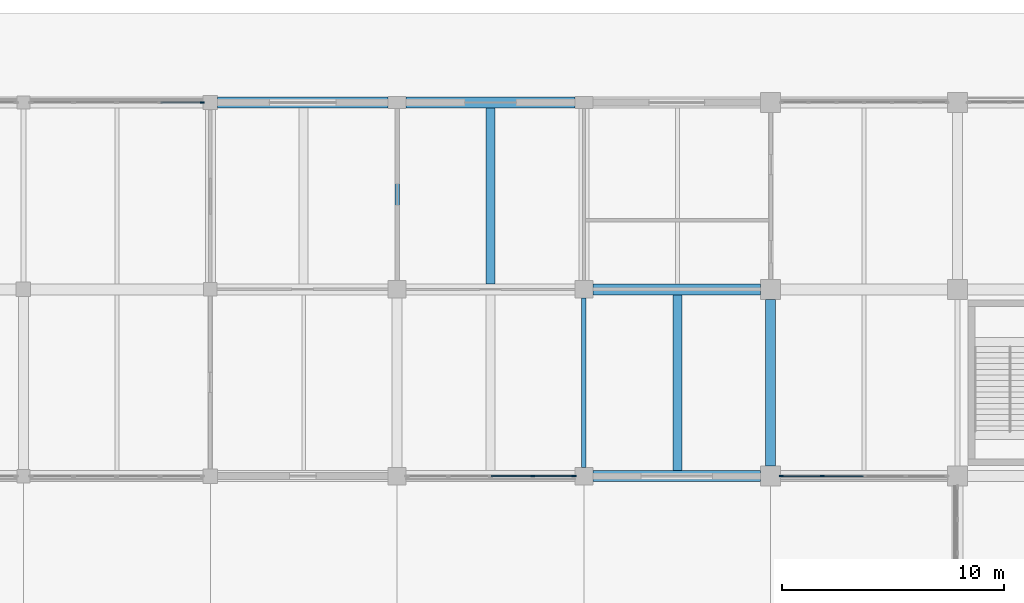
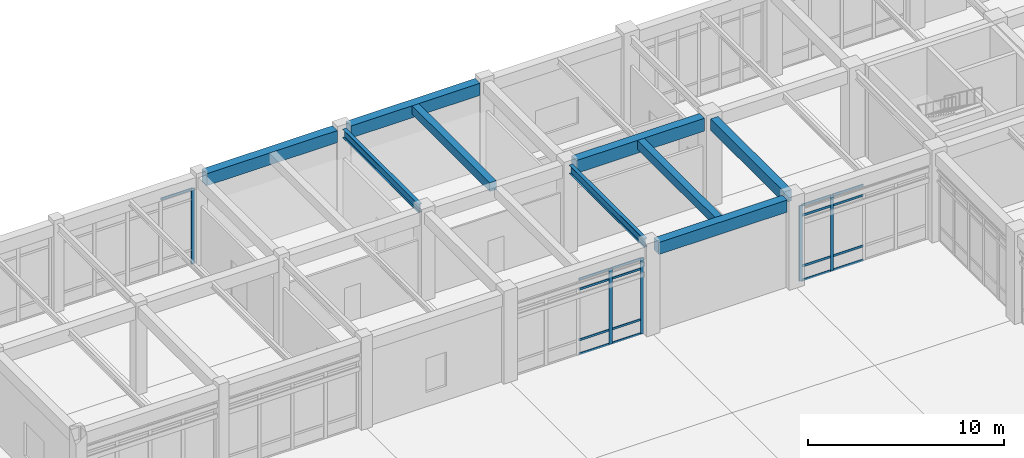
# One storey, part 21 of 91: 22 members, 9 beams, 3 elements without a shape of their own.
"""IFC4 building model written with IfcOpenShell, lengths in metres."""

from ifc_helpers import new_model, si_unit, direction, frame, origin, origin_2d, place, context, subcontext, project, spatial, rectangle, i_section, extrude, material, layer, layer_set, material_profile, profile_set, type_object, element, aggregate, save


model = new_model("IFC4")

# Units and contexts
model_context = context("Model", 3, precision=1e-05, world=origin(), true_north=direction((0.0, 1.0)))
body_context = subcontext(model_context, "Body", "Model", "MODEL_VIEW")
ifc_project = project(units=[si_unit("LENGTHUNIT", "METRE"), si_unit("AREAUNIT", "SQUARE_METRE"), si_unit("VOLUMEUNIT", "CUBIC_METRE"), si_unit("PLANEANGLEUNIT", "RADIAN"), si_unit("MASSUNIT", "GRAM", prefix="KILO")], contexts=[model_context])

# Site, building, storey
site_placement = place(None, origin())
site = spatial("IfcSite", under=ifc_project, at=site_placement, CompositionType="ELEMENT")
building_placement = place(site_placement, origin())
building = spatial("IfcBuilding", under=site, at=building_placement, Name="Porcellanite Civic Hall", CompositionType="ELEMENT")
storey_placement = place(building_placement, origin())
storey = spatial("IfcBuildingStorey", under=building, at=storey_placement, Name="L00", CompositionType="ELEMENT", Elevation=0.0)

# Beams
ifc_material_1 = material(Name="Concrete N50 (50 MPa)", Category="concrete")
ifc_material_profile_1 = material_profile(ifc_material_1, rectangle(XDim=0.39990234375, YDim=0.550048828125, at=origin_2d()), Name="RC-400x550")
ifc_profile_set_1 = profile_set([ifc_material_profile_1], Name="Concrete N50 (50 MPa)")
beam_type_1 = type_object("IfcBeamType", Name="BM-RC550", PredefinedType="JOIST", material=ifc_profile_set_1)
beam_1_placement = place(storey_placement, frame((29.39990234375, 109.449462890625, 5.22509765625), z_axis=(0.0, 1.0, 0.0), x_axis=(-1.0, 0.0, 0.0)))
element("IfcBeam", 1, at=beam_1_placement, inside=storey, type_object=beam_type_1, Name="Secondary joist L00 4-14", PredefinedType="JOIST", context=body_context, shape_type="SweptSolid", body=[
    extrude(rectangle(XDim=0.39990234375, YDim=0.550048828125, at=origin_2d()), origin(), (0.0, 0.0, 1.0), 7.901123046875),
])
beam_2_placement = place(storey_placement, frame((37.800048828125, 101.049560546875, 5.22509765625), z_axis=(0.0, 1.0, 0.0), x_axis=(-1.0, 0.0, 0.0)))
element("IfcBeam", 2, at=beam_2_placement, inside=storey, type_object=beam_type_1, Name="Secondary joist L00 5-13", PredefinedType="JOIST", context=body_context, shape_type="SweptSolid", body=[
    extrude(rectangle(XDim=0.39990234375, YDim=0.550048828125, at=origin_2d()), origin(), (0.0, 0.0, 1.0), 7.90087890625),
])
ifc_material_2 = material(Name="Concrete N50 (50 MPa)", Category="concrete")
ifc_material_profile_2 = material_profile(ifc_material_2, rectangle(XDim=0.449951171875, YDim=0.699951171875, at=origin_2d()), Name="RC-450x700")
ifc_profile_set_2 = profile_set([ifc_material_profile_2], Name="Concrete N50 (50 MPa)")
beam_type_2 = type_object("IfcBeamType", Name="BM-RC700", PredefinedType="BEAM", material=ifc_profile_set_2)
beam_3_placement = place(storey_placement, frame((42.0, 101.24951171875, 5.14990234375), z_axis=(0.0, 1.0, 0.0), x_axis=(-1.0, 0.0, 0.0)))
element("IfcBeam", 3, at=beam_3_placement, inside=storey, type_object=beam_type_2, Name="Beam Y L00 6-13", PredefinedType="BEAM", context=body_context, shape_type="SweptSolid", body=[
    extrude(rectangle(XDim=0.449951171875, YDim=0.699951171875, at=origin_2d()), origin(), (0.0, 0.0, 1.0), 7.5009765625),
])
ifc_material_3 = material(Name="Concrete N50 (50 MPa)", Category="concrete")
ifc_material_profile_3 = material_profile(ifc_material_3, rectangle(XDim=0.5, YDim=0.75, at=origin_2d()), Name="RC-500x750")
ifc_profile_set_3 = profile_set([ifc_material_profile_3], Name="Concrete N50 (50 MPa)")
beam_type_3 = type_object("IfcBeamType", Name="BM-RC750", PredefinedType="SPANDREL", material=ifc_profile_set_3)
beam_4_placement = place(storey_placement, frame((17.12451171875, 117.60009765625, 5.125), z_axis=(1.0, 0.0, 0.0), x_axis=(0.0, 1.0, 0.0)))
element("IfcBeam", 4, at=beam_4_placement, inside=storey, type_object=beam_type_3, Name="Beam X L00 3-15", PredefinedType="SPANDREL", context=body_context, shape_type="SweptSolid", body=[
    extrude(rectangle(XDim=0.5, YDim=0.75, at=origin_2d()), origin(), (0.0, 0.0, 1.0), 7.676025390625),
])
beam_5_placement = place(storey_placement, frame((25.599609375, 117.60009765625, 5.125), z_axis=(1.0, 0.0, 0.0), x_axis=(0.0, 1.0, 0.0)))
element("IfcBeam", 5, at=beam_5_placement, inside=storey, type_object=beam_type_3, Name="Beam X L00 4-15", PredefinedType="SPANDREL", context=body_context, shape_type="SweptSolid", body=[
    extrude(rectangle(XDim=0.5, YDim=0.75, at=origin_2d()), origin(), (0.0, 0.0, 1.0), 7.600830078125),
])
beam_6_placement = place(storey_placement, frame((33.99951171875, 100.800048828125, 5.125), z_axis=(1.0, 0.0, 0.0), x_axis=(0.0, 1.0, 0.0)))
element("IfcBeam", 6, at=beam_6_placement, inside=storey, type_object=beam_type_3, Name="Beam X L00 5-13", PredefinedType="SPANDREL", context=body_context, shape_type="SweptSolid", body=[
    extrude(rectangle(XDim=0.5, YDim=0.75, at=origin_2d()), origin(), (0.0, 0.0, 1.0), 7.551025390625),
])
ifc_material_4 = material(Name="Concrete N50 (50 MPa)", Category="concrete")
ifc_material_profile_4 = material_profile(ifc_material_4, rectangle(XDim=0.5, YDim=0.800048828125, at=origin_2d()), Name="RC-500x800")
ifc_profile_set_4 = profile_set([ifc_material_profile_4], Name="Concrete N50 (50 MPa)")
beam_type_4 = type_object("IfcBeamType", Name="BM-RC800", PredefinedType="BEAM", material=ifc_profile_set_4)
beam_7_placement = place(storey_placement, frame((33.99951171875, 109.199951171875, 5.10009765625), z_axis=(1.0, 0.0, 0.0), x_axis=(0.0, 1.0, 0.0)))
element("IfcBeam", 7, at=beam_7_placement, inside=storey, type_object=beam_type_4, Name="Beam X L00 5-14", PredefinedType="BEAM", context=body_context, shape_type="SweptSolid", body=[
    extrude(rectangle(XDim=0.5, YDim=0.800048828125, at=origin_2d()), origin(), (0.0, 0.0, 1.0), 7.551025390625),
])

# Curtain wall, member
ifc_material_5 = material(Name="Anodised aluminium and solar laminated glass", Category="aluminium")
ifc_layer_1 = layer(ifc_material_5, 0.179931640625)
ifc_layer_set_1 = layer_set([ifc_layer_1], Name="Anodised aluminium and solar laminated glass")
curtain_wall_type_1 = type_object("IfcCurtainWallType", Name="CW-SYS05", PredefinedType="NOTDEFINED", material=ifc_layer_set_1)
curtain_wall_1_placement = place(storey_placement, origin())
curtain_wall_1 = element("IfcCurtainWall", 8, at=curtain_wall_1_placement, inside=storey, type_object=curtain_wall_type_1, Name="Curtain wall CW-009", PredefinedType="NOTDEFINED")
ifc_material_6 = material(Name="Anodised aluminium 6063-T6", Category="aluminium")
ifc_material_profile_5 = material_profile(ifc_material_6, rectangle(XDim=0.070068359375, YDim=0.199951171875, at=origin_2d()), Name="AL-70x200")
ifc_profile_set_5 = profile_set([ifc_material_profile_5], Name="Anodised aluminium 6063-T6")
member_type_1 = type_object("IfcMemberType", Name="CWM-05", PredefinedType="MULLION", material=ifc_profile_set_5)
member_1_placement = place(storey_placement, frame((16.43896484375, 117.60009765625, 0.0), z_axis=(0.0, 0.0, 1.0), x_axis=(0.0, 1.0, 0.0)))
member_1 = element("IfcMember", 9, at=member_1_placement, type_object=member_type_1, Name="CW-009 mullion 5", PredefinedType="MULLION", context=body_context, shape_type="SweptSolid", body=[
    extrude(rectangle(XDim=0.070068359375, YDim=0.199951171875, at=origin_2d()), origin(), (0.0, 0.0, 1.0), 4.699951171875),
])

# Curtain wall, members
curtain_wall_2_placement = place(storey_placement, origin())
curtain_wall_2 = element("IfcCurtainWall", 10, at=curtain_wall_2_placement, inside=storey, type_object=curtain_wall_type_1, Name="Curtain wall CW-013", PredefinedType="NOTDEFINED")
member_2_placement = place(storey_placement, frame((33.1640625, 100.800048828125, 0.0), z_axis=(0.0, 0.0, 1.0), x_axis=(0.0, -1.0, 0.0)))
member_2 = element("IfcMember", 11, at=member_2_placement, type_object=member_type_1, Name="CW-013 mullion 1", PredefinedType="MULLION", context=body_context, shape_type="SweptSolid", body=[
    extrude(rectangle(XDim=0.070068359375, YDim=0.199951171875, at=origin_2d()), origin(), (0.0, 0.0, 1.0), 4.699951171875),
])
member_3_placement = place(storey_placement, frame((31.299560546875, 100.800048828125, 0.0), z_axis=(0.0, 0.0, 1.0), x_axis=(0.0, -1.0, 0.0)))
member_3 = element("IfcMember", 12, at=member_3_placement, type_object=member_type_1, Name="CW-013 mullion 2", PredefinedType="MULLION", context=body_context, shape_type="SweptSolid", body=[
    extrude(rectangle(XDim=0.070068359375, YDim=0.199951171875, at=origin_2d()), origin(), (0.0, 0.0, 1.0), 4.699951171875),
])

ifc_material_7 = material(Name="Anodised aluminium and solar laminated glass", Category="aluminium")
ifc_layer_2 = layer(ifc_material_7, 0.179931640625)
ifc_layer_set_2 = layer_set([ifc_layer_2], Name="Anodised aluminium and solar laminated glass")
curtain_wall_type_2 = type_object("IfcCurtainWallType", Name="CW-SYS06", PredefinedType="NOTDEFINED", material=ifc_layer_set_2)
curtain_wall_3_placement = place(storey_placement, origin())
curtain_wall_3 = element("IfcCurtainWall", 13, at=curtain_wall_3_placement, inside=storey, type_object=curtain_wall_type_2, Name="Curtain wall CW-014", PredefinedType="NOTDEFINED")
ifc_material_8 = material(Name="Anodised aluminium 6063-T6", Category="aluminium")
ifc_material_profile_6 = material_profile(ifc_material_8, rectangle(XDim=0.06494140625, YDim=0.179931640625, at=origin_2d()), Name="AL-65x180")
ifc_profile_set_6 = profile_set([ifc_material_profile_6], Name="Anodised aluminium 6063-T6")
member_type_2 = type_object("IfcMemberType", Name="CWM-06", PredefinedType="MULLION", material=ifc_profile_set_6)
member_4_placement = place(storey_placement, frame((44.325439453125, 100.800048828125, 0.0), z_axis=(0.0, 0.0, 1.0), x_axis=(0.0, -1.0, 0.0)))
member_4 = element("IfcMember", 14, at=member_4_placement, type_object=member_type_2, Name="CW-014 mullion 4", PredefinedType="MULLION", context=body_context, shape_type="SweptSolid", body=[
    extrude(rectangle(XDim=0.06494140625, YDim=0.179931640625, at=origin_2d()), origin(), (0.0, 0.0, 1.0), 4.699951171875),
])
member_5_placement = place(storey_placement, frame((42.4833984375, 100.800048828125, 0.0), z_axis=(0.0, 0.0, 1.0), x_axis=(0.0, -1.0, 0.0)))
member_5 = element("IfcMember", 15, at=member_5_placement, type_object=member_type_2, Name="CW-014 mullion 5", PredefinedType="MULLION", context=body_context, shape_type="SweptSolid", body=[
    extrude(rectangle(XDim=0.06494140625, YDim=0.179931640625, at=origin_2d()), origin(), (0.0, 0.0, 1.0), 4.699951171875),
])

# Member
ifc_material_9 = material(Name="Anodised aluminium 6063-T6", Category="aluminium")
ifc_material_profile_7 = material_profile(ifc_material_9, rectangle(XDim=0.06005859375, YDim=0.1298828125, at=origin_2d()), Name="AL-60x130")
ifc_profile_set_7 = profile_set([ifc_material_profile_7], Name="Anodised aluminium 6063-T6")
member_type_3 = type_object("IfcMemberType", Name="CWT-03", PredefinedType="USERDEFINED", material=ifc_profile_set_7)
member_6_placement = place(storey_placement, frame((14.565673828125, 117.60009765625, 4.669921875), z_axis=(1.0, 0.0, 0.0), x_axis=(0.0, 1.0, 0.0)))
member_6 = element("IfcMember", 16, at=member_6_placement, type_object=member_type_3, Name="CW-009 transom 4.4", ObjectType="TRANSOM", PredefinedType="USERDEFINED", context=body_context, shape_type="SweptSolid", body=[
    extrude(rectangle(XDim=0.06005859375, YDim=0.1298828125, at=origin_2d()), origin(), (0.0, 0.0, 1.0), 1.83837890625),
])

aggregate(curtain_wall_1, [member_1, member_6])

member_7_placement = place(storey_placement, frame((33.12890625, 100.800048828125, 0.030029296875), z_axis=(-1.0, 0.0, 0.0), x_axis=(0.0, -1.0, 0.0)))
member_7 = element("IfcMember", 17, at=member_7_placement, type_object=member_type_3, Name="CW-013 transom 1.1", ObjectType="TRANSOM", PredefinedType="USERDEFINED", context=body_context, shape_type="SweptSolid", body=[
    extrude(rectangle(XDim=0.06005859375, YDim=0.1298828125, at=origin_2d()), origin(), (0.0, 0.0, 1.0), 1.79443359375),
])

member_8_placement = place(storey_placement, frame((33.12890625, 100.800048828125, 0.89990234375), z_axis=(-1.0, 0.0, 0.0), x_axis=(0.0, -1.0, 0.0)))
member_8 = element("IfcMember", 18, at=member_8_placement, type_object=member_type_3, Name="CW-013 transom 1.2", ObjectType="TRANSOM", PredefinedType="USERDEFINED", context=body_context, shape_type="SweptSolid", body=[
    extrude(rectangle(XDim=0.06005859375, YDim=0.1298828125, at=origin_2d()), origin(), (0.0, 0.0, 1.0), 1.79443359375),
])

member_9_placement = place(storey_placement, frame((33.12890625, 100.800048828125, 4.050048828125), z_axis=(-1.0, 0.0, 0.0), x_axis=(0.0, -1.0, 0.0)))
member_9 = element("IfcMember", 19, at=member_9_placement, type_object=member_type_3, Name="CW-013 transom 1.3", ObjectType="TRANSOM", PredefinedType="USERDEFINED", context=body_context, shape_type="SweptSolid", body=[
    extrude(rectangle(XDim=0.06005859375, YDim=0.1298828125, at=origin_2d()), origin(), (0.0, 0.0, 1.0), 1.79443359375),
])

member_10_placement = place(storey_placement, frame((33.12890625, 100.800048828125, 4.669921875), z_axis=(-1.0, 0.0, 0.0), x_axis=(0.0, -1.0, 0.0)))
member_10 = element("IfcMember", 20, at=member_10_placement, type_object=member_type_3, Name="CW-013 transom 1.4", ObjectType="TRANSOM", PredefinedType="USERDEFINED", context=body_context, shape_type="SweptSolid", body=[
    extrude(rectangle(XDim=0.06005859375, YDim=0.1298828125, at=origin_2d()), origin(), (0.0, 0.0, 1.0), 1.79443359375),
])

member_11_placement = place(storey_placement, frame((31.264404296875, 100.800048828125, 0.030029296875), z_axis=(-1.0, 0.0, 0.0), x_axis=(0.0, -1.0, 0.0)))
member_11 = element("IfcMember", 21, at=member_11_placement, type_object=member_type_3, Name="CW-013 transom 2.1", ObjectType="TRANSOM", PredefinedType="USERDEFINED", context=body_context, shape_type="SweptSolid", body=[
    extrude(rectangle(XDim=0.06005859375, YDim=0.1298828125, at=origin_2d()), origin(), (0.0, 0.0, 1.0), 1.829345703125),
])

member_12_placement = place(storey_placement, frame((31.264404296875, 100.800048828125, 0.89990234375), z_axis=(-1.0, 0.0, 0.0), x_axis=(0.0, -1.0, 0.0)))
member_12 = element("IfcMember", 22, at=member_12_placement, type_object=member_type_3, Name="CW-013 transom 2.2", ObjectType="TRANSOM", PredefinedType="USERDEFINED", context=body_context, shape_type="SweptSolid", body=[
    extrude(rectangle(XDim=0.06005859375, YDim=0.1298828125, at=origin_2d()), origin(), (0.0, 0.0, 1.0), 1.829345703125),
])

member_13_placement = place(storey_placement, frame((31.264404296875, 100.800048828125, 4.050048828125), z_axis=(-1.0, 0.0, 0.0), x_axis=(0.0, -1.0, 0.0)))
member_13 = element("IfcMember", 23, at=member_13_placement, type_object=member_type_3, Name="CW-013 transom 2.3", ObjectType="TRANSOM", PredefinedType="USERDEFINED", context=body_context, shape_type="SweptSolid", body=[
    extrude(rectangle(XDim=0.06005859375, YDim=0.1298828125, at=origin_2d()), origin(), (0.0, 0.0, 1.0), 1.829345703125),
])

member_14_placement = place(storey_placement, frame((31.264404296875, 100.800048828125, 4.669921875), z_axis=(-1.0, 0.0, 0.0), x_axis=(0.0, -1.0, 0.0)))
member_14 = element("IfcMember", 24, at=member_14_placement, type_object=member_type_3, Name="CW-013 transom 2.4", ObjectType="TRANSOM", PredefinedType="USERDEFINED", context=body_context, shape_type="SweptSolid", body=[
    extrude(rectangle(XDim=0.06005859375, YDim=0.1298828125, at=origin_2d()), origin(), (0.0, 0.0, 1.0), 1.829345703125),
])

aggregate(curtain_wall_2, [member_2, member_3, member_7, member_8, member_9, member_10, member_11, member_12, member_13, member_14])

ifc_material_10 = material(Name="Anodised aluminium 6063-T6", Category="aluminium")
ifc_material_profile_8 = material_profile(ifc_material_10, rectangle(XDim=0.050048828125, YDim=0.139892578125, at=origin_2d()), Name="AL-50x140")
ifc_profile_set_8 = profile_set([ifc_material_profile_8], Name="Anodised aluminium 6063-T6")
member_type_4 = type_object("IfcMemberType", Name="CWT-06", PredefinedType="USERDEFINED", material=ifc_profile_set_8)
member_15_placement = place(storey_placement, frame((46.16748046875, 100.800048828125, 0.02490234375), z_axis=(-1.0, 0.0, 0.0), x_axis=(0.0, -1.0, 0.0)))
member_15 = element("IfcMember", 25, at=member_15_placement, type_object=member_type_4, Name="CW-014 transom 3.1", ObjectType="TRANSOM", PredefinedType="USERDEFINED", context=body_context, shape_type="SweptSolid", body=[
    extrude(rectangle(XDim=0.050048828125, YDim=0.139892578125, at=origin_2d()), origin(), (0.0, 0.0, 1.0), 1.8095703125),
])

member_16_placement = place(storey_placement, frame((46.16748046875, 100.800048828125, 0.89990234375), z_axis=(-1.0, 0.0, 0.0), x_axis=(0.0, -1.0, 0.0)))
member_16 = element("IfcMember", 26, at=member_16_placement, type_object=member_type_4, Name="CW-014 transom 3.2", ObjectType="TRANSOM", PredefinedType="USERDEFINED", context=body_context, shape_type="SweptSolid", body=[
    extrude(rectangle(XDim=0.050048828125, YDim=0.139892578125, at=origin_2d()), origin(), (0.0, 0.0, 1.0), 1.8095703125),
])

member_17_placement = place(storey_placement, frame((46.16748046875, 100.800048828125, 4.050048828125), z_axis=(-1.0, 0.0, 0.0), x_axis=(0.0, -1.0, 0.0)))
member_17 = element("IfcMember", 27, at=member_17_placement, type_object=member_type_4, Name="CW-014 transom 3.3", ObjectType="TRANSOM", PredefinedType="USERDEFINED", context=body_context, shape_type="SweptSolid", body=[
    extrude(rectangle(XDim=0.050048828125, YDim=0.139892578125, at=origin_2d()), origin(), (0.0, 0.0, 1.0), 1.8095703125),
])

member_18_placement = place(storey_placement, frame((46.16748046875, 100.800048828125, 4.675048828125), z_axis=(-1.0, 0.0, 0.0), x_axis=(0.0, -1.0, 0.0)))
member_18 = element("IfcMember", 28, at=member_18_placement, type_object=member_type_4, Name="CW-014 transom 3.4", ObjectType="TRANSOM", PredefinedType="USERDEFINED", context=body_context, shape_type="SweptSolid", body=[
    extrude(rectangle(XDim=0.050048828125, YDim=0.139892578125, at=origin_2d()), origin(), (0.0, 0.0, 1.0), 1.8095703125),
])

member_19_placement = place(storey_placement, frame((44.29296875, 100.800048828125, 0.02490234375), z_axis=(-1.0, 0.0, 0.0), x_axis=(0.0, -1.0, 0.0)))
member_19 = element("IfcMember", 29, at=member_19_placement, type_object=member_type_4, Name="CW-014 transom 4.1", ObjectType="TRANSOM", PredefinedType="USERDEFINED", context=body_context, shape_type="SweptSolid", body=[
    extrude(rectangle(XDim=0.050048828125, YDim=0.139892578125, at=origin_2d()), origin(), (0.0, 0.0, 1.0), 1.77685546875),
])

member_20_placement = place(storey_placement, frame((44.29296875, 100.800048828125, 0.89990234375), z_axis=(-1.0, 0.0, 0.0), x_axis=(0.0, -1.0, 0.0)))
member_20 = element("IfcMember", 30, at=member_20_placement, type_object=member_type_4, Name="CW-014 transom 4.2", ObjectType="TRANSOM", PredefinedType="USERDEFINED", context=body_context, shape_type="SweptSolid", body=[
    extrude(rectangle(XDim=0.050048828125, YDim=0.139892578125, at=origin_2d()), origin(), (0.0, 0.0, 1.0), 1.77685546875),
])

member_21_placement = place(storey_placement, frame((44.29296875, 100.800048828125, 4.050048828125), z_axis=(-1.0, 0.0, 0.0), x_axis=(0.0, -1.0, 0.0)))
member_21 = element("IfcMember", 31, at=member_21_placement, type_object=member_type_4, Name="CW-014 transom 4.3", ObjectType="TRANSOM", PredefinedType="USERDEFINED", context=body_context, shape_type="SweptSolid", body=[
    extrude(rectangle(XDim=0.050048828125, YDim=0.139892578125, at=origin_2d()), origin(), (0.0, 0.0, 1.0), 1.77685546875),
])

member_22_placement = place(storey_placement, frame((44.29296875, 100.800048828125, 4.675048828125), z_axis=(-1.0, 0.0, 0.0), x_axis=(0.0, -1.0, 0.0)))
member_22 = element("IfcMember", 32, at=member_22_placement, type_object=member_type_4, Name="CW-014 transom 4.4", ObjectType="TRANSOM", PredefinedType="USERDEFINED", context=body_context, shape_type="SweptSolid", body=[
    extrude(rectangle(XDim=0.050048828125, YDim=0.139892578125, at=origin_2d()), origin(), (0.0, 0.0, 1.0), 1.77685546875),
])

aggregate(curtain_wall_3, [member_4, member_5, member_15, member_16, member_17, member_18, member_19, member_20, member_21, member_22])

# Beams
ifc_material_11 = material(Name="Steel Grade 350", Category="steel")
ifc_material_profile_9 = material_profile(ifc_material_11, i_section(OverallWidth=0.208984375, OverallDepth=0.528076171875, WebThickness=0.009521484375, FlangeThickness=0.01318359375, FilletRadius=0.013916015625, at=origin_2d()), Name="530UB82.0")
ifc_profile_set_9 = profile_set([ifc_material_profile_9], Name="Steel Grade 350")
beam_type_5 = type_object("IfcBeamType", Name="RAF-530UB82", PredefinedType="BEAM", material=ifc_profile_set_9)
beam_8_placement = place(storey_placement, frame((25.199951171875, 109.599609375, 5.236083984375), z_axis=(0.0, 1.0, 0.0), x_axis=(-1.0, 0.0, 0.0)))
element("IfcBeam", 33, at=beam_8_placement, inside=storey, type_object=beam_type_5, Name="Beam Y L00 4-14", PredefinedType="BEAM", context=body_context, shape_type="SweptSolid", body=[
    extrude(i_section(OverallWidth=0.208984375, OverallDepth=0.528076171875, WebThickness=0.009521484375, FlangeThickness=0.01318359375, FilletRadius=0.013916015625, at=origin_2d()), origin(), (0.0, 0.0, 1.0), 7.725830078125),
])
beam_9_placement = place(storey_placement, frame((33.60009765625, 101.199462890625, 5.236083984375), z_axis=(0.0, 1.0, 0.0), x_axis=(-1.0, 0.0, 0.0)))
element("IfcBeam", 34, at=beam_9_placement, inside=storey, type_object=beam_type_5, Name="Beam Y L00 5-13", PredefinedType="BEAM", context=body_context, shape_type="SweptSolid", body=[
    extrude(i_section(OverallWidth=0.208984375, OverallDepth=0.528076171875, WebThickness=0.009521484375, FlangeThickness=0.01318359375, FilletRadius=0.013916015625, at=origin_2d()), origin(), (0.0, 0.0, 1.0), 7.60107421875),
])

save(model, "model.ifc")
